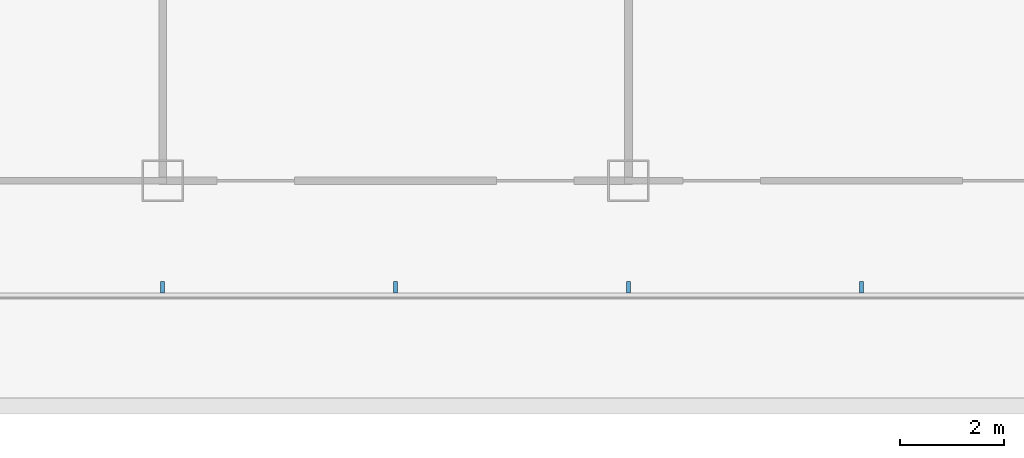
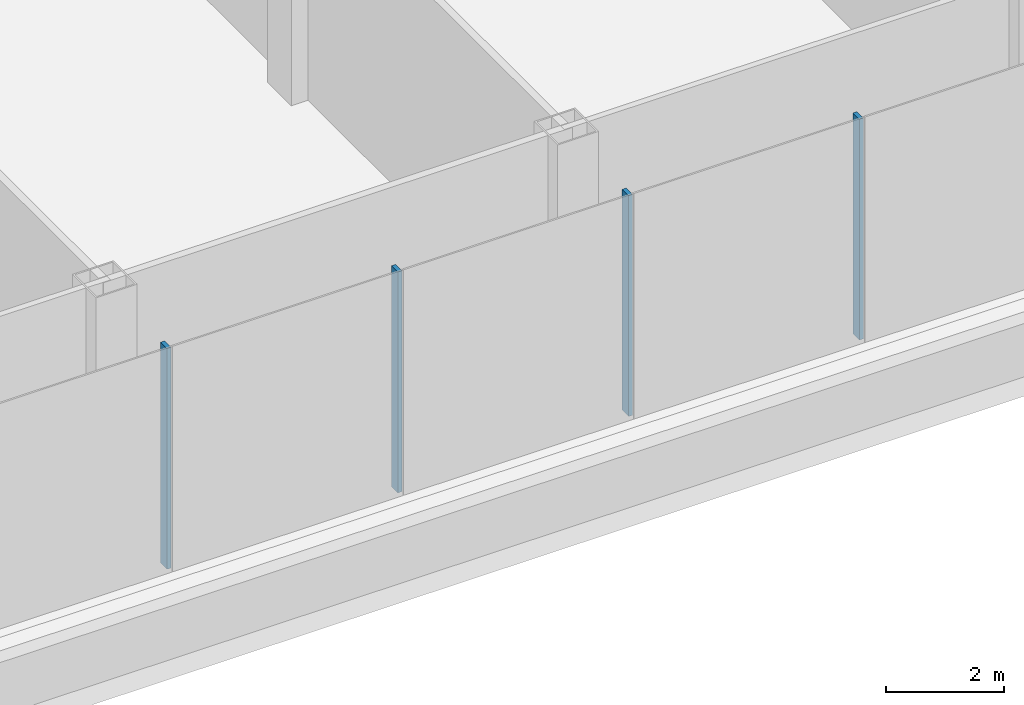
# One storey, part 4 of 30: 4 members, 1 element without a shape of its own.
"""IFC4 building model written with IfcOpenShell, lengths in metres."""

from ifc_helpers import new_model, si_unit, direction, frame, origin, origin_2d, place, context, subcontext, project, spatial, rectangle, extrude, material, layer, layer_set, material_profile, profile_set, type_object, element, aggregate, save


model = new_model("IFC4")

# Units and contexts
model_context = context("Model", 3, precision=1e-05, world=origin(), true_north=direction((0.0, 1.0)))
body_context = subcontext(model_context, "Body", "Model", "MODEL_VIEW")
ifc_project = project(units=[si_unit("LENGTHUNIT", "METRE"), si_unit("AREAUNIT", "SQUARE_METRE"), si_unit("VOLUMEUNIT", "CUBIC_METRE"), si_unit("PLANEANGLEUNIT", "RADIAN"), si_unit("MASSUNIT", "GRAM", prefix="KILO")], contexts=[model_context])

# Site, building, storey
site_placement = place(None, origin())
site = spatial("IfcSite", under=ifc_project, at=site_placement, CompositionType="ELEMENT")
building_placement = place(site_placement, origin())
building = spatial("IfcBuilding", under=site, at=building_placement, Name="Shamsa Quay Exchange Towers", CompositionType="ELEMENT")
storey_placement = place(building_placement, frame((0.0, 0.0, 23.5)))
storey = spatial("IfcBuildingStorey", under=building, at=storey_placement, Name="L04", CompositionType="ELEMENT", Elevation=23.5)

# Curtain wall, members
ifc_material = material(Name="Aluminium EN AW-6063 T6, black anodised", Category="aluminium")
ifc_layer = layer(ifc_material, 0.33203125)
ifc_layer_set = layer_set([ifc_layer], Name="CW-3 PODIUM SHOPFRONT GLAZING")
curtain_wall_type = type_object("IfcCurtainWallType", Name="CW-3 PODIUM SHOPFRONT GLAZING", PredefinedType="NOTDEFINED", material=ifc_layer_set)
curtain_wall_placement = place(storey_placement, origin())
curtain_wall = element("IfcCurtainWall", 1, at=curtain_wall_placement, inside=storey, type_object=curtain_wall_type, Name="CW3 PODIUM-L04-F03", PredefinedType="NOTDEFINED")
ifc_material_profile = material_profile(ifc_material, rectangle(XDim=0.219970703125, YDim=0.080078125, at=origin_2d()), Name="MU80x220")
ifc_profile_set = profile_set([ifc_material_profile], Name="Aluminium EN AW-6063 T6, black anodised")
member_type = type_object("IfcMemberType", Name="CW3 MULLION 80x220", PredefinedType="MULLION", material=ifc_profile_set)
member_1_placement = place(storey_placement, frame((-18.0, -31.31005859375, 0.0), z_axis=(0.0, 0.0, 1.0), x_axis=(0.0, 1.0, 0.0)))
member_1 = element("IfcMember", 2, at=member_1_placement, type_object=member_type, Name="CW3 mullion", PredefinedType="MULLION", context=body_context, shape_type="SweptSolid", body=[
    extrude(rectangle(XDim=0.219970703125, YDim=0.080078125, at=origin_2d()), origin(), (0.0, 0.0, 1.0), 4.550048828125),
])
member_2_placement = place(storey_placement, frame((-13.5, -31.31005859375, 0.0), z_axis=(0.0, 0.0, 1.0), x_axis=(0.0, 1.0, 0.0)))
member_2 = element("IfcMember", 3, at=member_2_placement, type_object=member_type, Name="CW3 mullion", PredefinedType="MULLION", context=body_context, shape_type="SweptSolid", body=[
    extrude(rectangle(XDim=0.219970703125, YDim=0.080078125, at=origin_2d()), origin(), (0.0, 0.0, 1.0), 4.550048828125),
])
member_3_placement = place(storey_placement, frame((-9.0, -31.31005859375, 0.0), z_axis=(0.0, 0.0, 1.0), x_axis=(0.0, 1.0, 0.0)))
member_3 = element("IfcMember", 4, at=member_3_placement, type_object=member_type, Name="CW3 mullion", PredefinedType="MULLION", context=body_context, shape_type="SweptSolid", body=[
    extrude(rectangle(XDim=0.219970703125, YDim=0.080078125, at=origin_2d()), origin(), (0.0, 0.0, 1.0), 4.550048828125),
])
member_4_placement = place(storey_placement, frame((-4.5, -31.31005859375, 0.0), z_axis=(0.0, 0.0, 1.0), x_axis=(0.0, 1.0, 0.0)))
member_4 = element("IfcMember", 5, at=member_4_placement, type_object=member_type, Name="CW3 mullion", PredefinedType="MULLION", context=body_context, shape_type="SweptSolid", body=[
    extrude(rectangle(XDim=0.219970703125, YDim=0.080078125, at=origin_2d()), origin(), (0.0, 0.0, 1.0), 4.550048828125),
])
aggregate(curtain_wall, [member_1, member_2, member_3, member_4])

save(model, "model.ifc")
